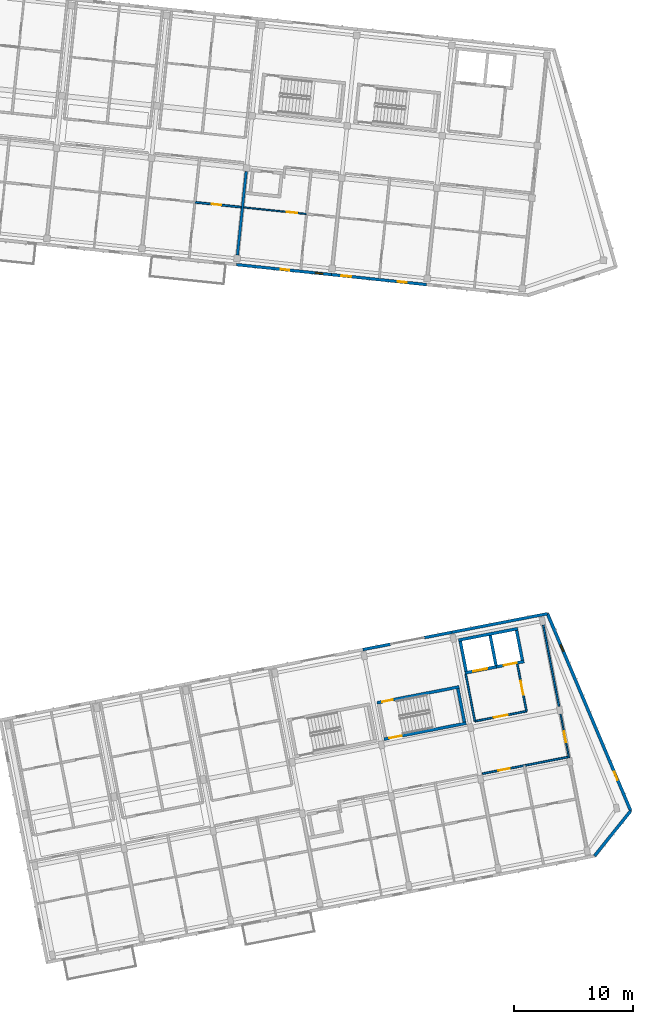
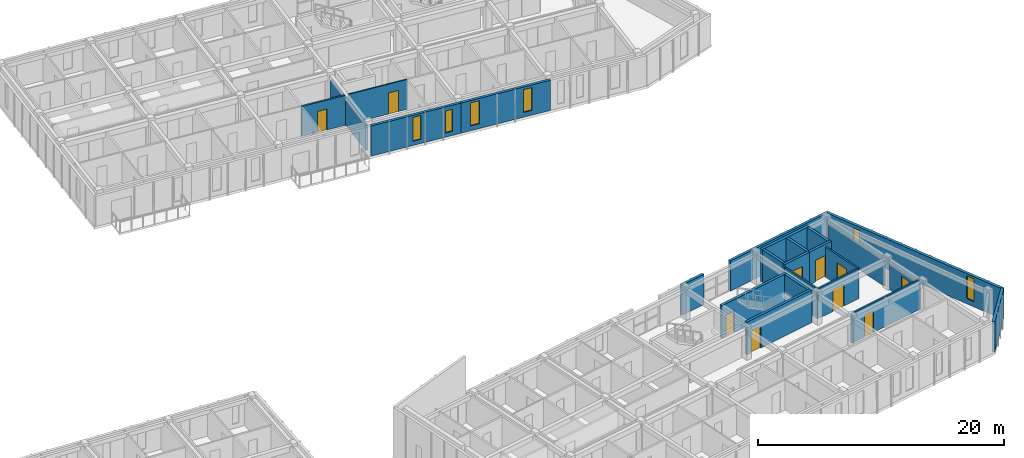
# One storey, part 35 of 65: 25 walls, 10 doors, 6 windows, 16 openings.
"""IFC4 building model written with IfcOpenShell, lengths in metres."""

from ifc_helpers import new_model, si_unit, direction, frame, frame_2d, origin, place, context, subcontext, project, spatial, rectangle, extrude, material, layer, layer_set, type_object, element, fill, save


model = new_model("IFC4")

# Units and contexts
model_context = context("Model", 3, precision=1e-05, world=origin(), true_north=direction((0.0, 1.0)))
body_context = subcontext(model_context, "Body", "Model", "MODEL_VIEW")
ifc_project = project(units=[si_unit("LENGTHUNIT", "METRE"), si_unit("AREAUNIT", "SQUARE_METRE"), si_unit("VOLUMEUNIT", "CUBIC_METRE"), si_unit("PLANEANGLEUNIT", "RADIAN"), si_unit("MASSUNIT", "GRAM", prefix="KILO")], contexts=[model_context])

# Site, building, storey
site_placement = place(None, origin())
site = spatial("IfcSite", under=ifc_project, at=site_placement, CompositionType="ELEMENT")
building_placement = place(site_placement, origin())
building = spatial("IfcBuilding", under=site, at=building_placement, Name="Kestramere Prow Commons", CompositionType="ELEMENT")
storey_placement = place(building_placement, frame((0.0, 0.0, 21.39990234375)))
storey = spatial("IfcBuildingStorey", under=building, at=storey_placement, Name="L06", CompositionType="ELEMENT", Elevation=21.39990234375)

# Wall, openings, windows
ifc_material_1 = material(Name="Weathered Zinc-Titanium Standing-Seam Cladding")
ifc_layer_1 = layer(ifc_material_1, 0.260009765625)
ifc_layer_set_1 = layer_set([ifc_layer_1], Name="Weathered Zinc-Titanium Standing-Seam Cladding")
wall_type_1 = type_object("IfcWallType", Name="EW-PROW-260", PredefinedType="SOLIDWALL", material=ifc_layer_set_1)
wall_1_placement = place(storey_placement, frame((159.83740234375, 62.556396484375, 0.0), z_axis=(0.0, 0.0, 1.0), x_axis=(0.389225507936, -0.921142499276, 0.0)))
wall_1 = element("IfcWall", 1, at=wall_1_placement, inside=storey, type_object=wall_type_1, Name="Block D L06 PRW-N Facet Wall", PredefinedType="SOLIDWALL", context=body_context, shape_type="SweptSolid", body=[
    extrude(rectangle(XDim=17.910400390625, YDim=0.260009765625, at=frame_2d((8.955078125, 0.0))), origin(), (0.0, 0.0, 1.0), 3.0),
])
opening_1_placement = place(wall_1_placement, frame((2.81005859375, 0.0, 0.449951171875)))
opening_1 = element("IfcOpeningElement", 2, at=opening_1_placement, cuts=wall_1, Name="Opening WN-02", PredefinedType="OPENING", context=body_context, shape_type="SweptSolid", body=[
    extrude(rectangle(XDim=0.60009765625, YDim=2.219970703125, at=frame_2d((0.300048828125, 1.10986328125))), frame((0.0, 0.14501953125, 0.0), z_axis=(0.0, -1.0, 0.0), x_axis=(1.0, 0.0, 0.0)), (0.0, 0.0, 1.0), 0.2900390625),
])
opening_2_placement = place(wall_1_placement, frame((14.3603515625, 0.0, 0.52001953125)))
opening_2 = element("IfcOpeningElement", 3, at=opening_2_placement, cuts=wall_1, Name="Opening WN-09", PredefinedType="OPENING", context=body_context, shape_type="SweptSolid", body=[
    extrude(rectangle(XDim=0.739990234375, YDim=2.260009765625, at=frame_2d((0.3701171875, 1.1298828125))), frame((0.0, 0.14501953125, 0.0), z_axis=(0.0, -1.0, 0.0), x_axis=(1.0, 0.0, 0.0)), (0.0, 0.0, 1.0), 0.2900390625),
])
ifc_material_2 = material(Name="Low-E Laminated Double Glazing", Category="glass")
window_type_1 = type_object("IfcWindowType", Name="WN-NAR-600A", PartitioningType="SINGLE_PANEL", PredefinedType="WINDOW", material=ifc_material_2)
window_1_placement = place(opening_1_placement, origin())
window_1 = element("IfcWindow", 4, at=window_1_placement, inside=storey, type_object=window_type_1, Name="WN-D-L06-PRW-N-0", OverallHeight=2.219970703125, OverallWidth=0.60009765625, PartitioningType="SINGLE_PANEL", PredefinedType="WINDOW", context=body_context, shape_type="SweptSolid", body=[
    extrude(rectangle(XDim=0.60009765625, YDim=2.219970703125, at=frame_2d((0.300048828125, 1.10986328125))), frame((0.0, 0.030029296875, 0.0), z_axis=(0.0, -1.0, 0.0), x_axis=(1.0, 0.0, 0.0)), (0.0, 0.0, 1.0), 0.06005859375),
])
fill(opening_1, window_1)
window_type_2 = type_object("IfcWindowType", Name="WN-NAR-740A", PartitioningType="SINGLE_PANEL", PredefinedType="WINDOW", material=ifc_material_2)
window_2_placement = place(opening_2_placement, origin())
window_2 = element("IfcWindow", 5, at=window_2_placement, inside=storey, type_object=window_type_2, Name="WN-D-L06-PRW-N-1", OverallHeight=2.260009765625, OverallWidth=0.739990234375, PartitioningType="SINGLE_PANEL", PredefinedType="WINDOW", context=body_context, shape_type="SweptSolid", body=[
    extrude(rectangle(XDim=0.739990234375, YDim=2.260009765625, at=frame_2d((0.3701171875, 1.1298828125))), frame((0.0, 0.030029296875, 0.0), z_axis=(0.0, -1.0, 0.0), x_axis=(1.0, 0.0, 0.0)), (0.0, 0.0, 1.0), 0.06005859375),
])
fill(opening_2, window_2)

# Wall
wall_2_placement = place(storey_placement, frame((166.80859375, 46.058349609375, 0.0), z_axis=(0.0, 0.0, 1.0), x_axis=(-0.626281072923, -0.779597343312, 0.0)))
element("IfcWall", 6, at=wall_2_placement, inside=storey, type_object=wall_type_1, Name="Block D L06 PRW-S Facet Wall", PredefinedType="SOLIDWALL", context=body_context, shape_type="SweptSolid", body=[
    extrude(rectangle(XDim=4.83935546875, YDim=0.260009765625, at=frame_2d((2.419677734375, 0.0))), origin(), (0.0, 0.0, 1.0), 3.0),
])

# Wall, openings, windows
ifc_material_3 = material(Name="Fluoropolymer Standing-Seam Zinc-Aluminium Cladding", Category="aluminium")
ifc_layer_2 = layer(ifc_material_3, 0.239990234375)
ifc_layer_set_2 = layer_set([ifc_layer_2], Name="Fluoropolymer Standing-Seam Zinc-Aluminium Cladding")
wall_type_2 = type_object("IfcWallType", Name="EW-SEAM-240", PredefinedType="SOLIDWALL", material=ifc_layer_set_2)
wall_3_placement = place(storey_placement, frame((141.769775390625, 90.932861328125, 0.0), z_axis=(0.0, 0.0, 1.0), x_axis=(-0.994519156568, 0.104554517933, 0.0)))
wall_3 = element("IfcWall", 7, at=wall_3_placement, inside=storey, type_object=wall_type_2, Name="Block B L06 South Standing-Seam Wall 4", PredefinedType="SOLIDWALL", context=body_context, shape_type="SweptSolid", body=[
    extrude(rectangle(XDim=8.0, YDim=0.239990234375, at=frame_2d((4.0, 0.0))), origin(), (0.0, 0.0, 1.0), 3.0),
])
opening_3_placement = place(wall_3_placement, frame((0.7431640625, 0.0, 0.419921875)))
opening_3 = element("IfcOpeningElement", 8, at=opening_3_placement, cuts=wall_3, Name="Opening WN-04", PredefinedType="OPENING", context=body_context, shape_type="SweptSolid", body=[
    extrude(rectangle(XDim=0.639892578125, YDim=2.179931640625, at=frame_2d((0.31982421875, 1.08984375))), frame((0.0, 0.135009765625, 0.0), z_axis=(0.0, -1.0, 0.0), x_axis=(1.0, 0.0, 0.0)), (0.0, 0.0, 1.0), 0.27001953125),
])
opening_4_placement = place(wall_3_placement, frame((3.55810546875, 0.0, 0.419921875)))
opening_4 = element("IfcOpeningElement", 9, at=opening_4_placement, cuts=wall_3, Name="Opening WN-07", PredefinedType="OPENING", context=body_context, shape_type="SweptSolid", body=[
    extrude(rectangle(XDim=0.699951171875, YDim=2.360107421875, at=frame_2d((0.35009765625, 1.18017578125))), frame((0.0, 0.135009765625, 0.0), z_axis=(0.0, -1.0, 0.0), x_axis=(1.0, 0.0, 0.0)), (0.0, 0.0, 1.0), 0.27001953125),
])
window_type_3 = type_object("IfcWindowType", Name="WN-NAR-640A", PartitioningType="SINGLE_PANEL", PredefinedType="WINDOW", material=ifc_material_2)
window_3_placement = place(opening_3_placement, origin())
window_3 = element("IfcWindow", 10, at=window_3_placement, inside=storey, type_object=window_type_3, Name="WN-B-L06-S-3-00", OverallHeight=2.179931640625, OverallWidth=0.639892578125, PartitioningType="SINGLE_PANEL", PredefinedType="WINDOW", context=body_context, shape_type="SweptSolid", body=[
    extrude(rectangle(XDim=0.639892578125, YDim=2.179931640625, at=frame_2d((0.31982421875, 1.08984375))), frame((0.0, 0.030029296875, 0.0), z_axis=(0.0, -1.0, 0.0), x_axis=(1.0, 0.0, 0.0)), (0.0, 0.0, 1.0), 0.06005859375),
])
fill(opening_3, window_3)
window_type_4 = type_object("IfcWindowType", Name="WN-NAR-700A", PartitioningType="SINGLE_PANEL", PredefinedType="WINDOW", material=ifc_material_2)
window_4_placement = place(opening_4_placement, origin())
window_4 = element("IfcWindow", 11, at=window_4_placement, inside=storey, type_object=window_type_4, Name="WN-B-L06-S-3-10", OverallHeight=2.360107421875, OverallWidth=0.699951171875, PartitioningType="SINGLE_PANEL", PredefinedType="WINDOW", context=body_context, shape_type="SweptSolid", body=[
    extrude(rectangle(XDim=0.699951171875, YDim=2.360107421875, at=frame_2d((0.35009765625, 1.18017578125))), frame((0.0, 0.030029296875, 0.0), z_axis=(0.0, -1.0, 0.0), x_axis=(1.0, 0.0, 0.0)), (0.0, 0.0, 1.0), 0.06005859375),
])
fill(opening_4, window_4)

wall_4_placement = place(storey_placement, frame((149.72607421875, 90.0966796875, 0.0), z_axis=(0.0, 0.0, 1.0), x_axis=(-0.994522662826, 0.104521161134, 0.0)))
wall_4 = element("IfcWall", 12, at=wall_4_placement, inside=storey, type_object=wall_type_2, Name="Block B L06 South Standing-Seam Wall 5", PredefinedType="SOLIDWALL", context=body_context, shape_type="SweptSolid", body=[
    extrude(rectangle(XDim=8.0, YDim=0.239990234375, at=frame_2d((4.0, 0.0))), origin(), (0.0, 0.0, 1.0), 3.0),
])
opening_5_placement = place(wall_4_placement, frame((1.685546875, 0.0, 0.47998046875)))
opening_5 = element("IfcOpeningElement", 13, at=opening_5_placement, cuts=wall_4, Name="Opening WN-09", PredefinedType="OPENING", context=body_context, shape_type="SweptSolid", body=[
    extrude(rectangle(XDim=0.739990234375, YDim=2.260009765625, at=frame_2d((0.3701171875, 1.1298828125))), frame((0.0, 0.135009765625, 0.0), z_axis=(0.0, -1.0, 0.0), x_axis=(1.0, 0.0, 0.0)), (0.0, 0.0, 1.0), 0.27001953125),
])
opening_6_placement = place(wall_4_placement, frame((6.360107421875, 0.0, 0.47998046875)))
opening_6 = element("IfcOpeningElement", 14, at=opening_6_placement, cuts=wall_4, Name="Opening WN-12", PredefinedType="OPENING", context=body_context, shape_type="SweptSolid", body=[
    extrude(rectangle(XDim=0.800048828125, YDim=2.300048828125, at=frame_2d((0.39990234375, 1.14990234375))), frame((0.0, 0.135009765625, 0.0), z_axis=(0.0, -1.0, 0.0), x_axis=(1.0, 0.0, 0.0)), (0.0, 0.0, 1.0), 0.27001953125),
])
window_5_placement = place(opening_5_placement, origin())
window_5 = element("IfcWindow", 15, at=window_5_placement, inside=storey, type_object=window_type_2, Name="WN-B-L06-S-4-00", OverallHeight=2.260009765625, OverallWidth=0.739990234375, PartitioningType="SINGLE_PANEL", PredefinedType="WINDOW", context=body_context, shape_type="SweptSolid", body=[
    extrude(rectangle(XDim=0.739990234375, YDim=2.260009765625, at=frame_2d((0.3701171875, 1.1298828125))), frame((0.0, 0.030029296875, 0.0), z_axis=(0.0, -1.0, 0.0), x_axis=(1.0, 0.0, 0.0)), (0.0, 0.0, 1.0), 0.06005859375),
])
fill(opening_5, window_5)
window_type_5 = type_object("IfcWindowType", Name="WN-NAR-800A", PartitioningType="SINGLE_PANEL", PredefinedType="WINDOW", material=ifc_material_2)
window_6_placement = place(opening_6_placement, origin())
window_6 = element("IfcWindow", 16, at=window_6_placement, inside=storey, type_object=window_type_5, Name="WN-B-L06-S-4-10", OverallHeight=2.300048828125, OverallWidth=0.800048828125, PartitioningType="SINGLE_PANEL", PredefinedType="WINDOW", context=body_context, shape_type="SweptSolid", body=[
    extrude(rectangle(XDim=0.800048828125, YDim=2.300048828125, at=frame_2d((0.39990234375, 1.14990234375))), frame((0.0, 0.030029296875, 0.0), z_axis=(0.0, -1.0, 0.0), x_axis=(1.0, 0.0, 0.0)), (0.0, 0.0, 1.0), 0.06005859375),
])
fill(opening_6, window_6)

# Walls
wall_5_placement = place(storey_placement, frame((144.4013671875, 59.555908203125, 0.0), z_axis=(0.0, 0.0, 1.0), x_axis=(0.981633573872, 0.190776116556, 0.0)))
element("IfcWall", 17, at=wall_5_placement, inside=storey, type_object=wall_type_2, Name="Block D L06 North Standing-Seam Pier 5L", PredefinedType="SOLIDWALL", context=body_context, shape_type="SweptSolid", body=[
    extrude(rectangle(XDim=2.375244140625, YDim=0.239990234375, at=frame_2d((1.1875, 0.0))), origin(), (0.0, 0.0, 1.0), 3.0),
])
wall_6_placement = place(storey_placement, frame((149.530517578125, 60.552734375, 0.0), z_axis=(0.0, 0.0, 1.0), x_axis=(0.98161057432, 0.190894422087, 0.0)))
element("IfcWall", 18, at=wall_6_placement, inside=storey, type_object=wall_type_2, Name="Block D L06 North Standing-Seam Pier 5R", PredefinedType="SOLIDWALL", context=body_context, shape_type="SweptSolid", body=[
    extrude(rectangle(XDim=2.375, YDim=0.239990234375, at=frame_2d((1.1875, 0.0))), origin(), (0.0, 0.0, 1.0), 3.0),
])
wall_7_placement = place(storey_placement, frame((151.86181640625, 61.006103515625, 0.0), z_axis=(0.0, 0.0, 1.0), x_axis=(0.981627273155, 0.190808533872, 0.0)))
element("IfcWall", 19, at=wall_7_placement, inside=storey, type_object=wall_type_2, Name="Block D L06 North Standing-Seam Wall 6", PredefinedType="SOLIDWALL", context=body_context, shape_type="SweptSolid", body=[
    extrude(rectangle(XDim=8.124755859375, YDim=0.239990234375, at=frame_2d((4.0625, 0.0))), origin(), (0.0, 0.0, 1.0), 3.0),
])
ifc_material_4 = material(Name="Concrete C40/50", Category="concrete")
ifc_layer_3 = layer(ifc_material_4, 0.25)
ifc_layer_set_3 = layer_set([ifc_layer_3], Name="Concrete C40/50")
wall_type_3 = type_object("IfcWallType", Name="W-CORE-250", PredefinedType="SHEAR", material=ifc_layer_set_3)
wall_8_placement = place(storey_placement, frame((152.3974609375, 60.34619140625, 0.0), z_axis=(0.0, 0.0, 1.0), x_axis=(0.981635261308, 0.190767433692, 0.0)))
element("IfcWall", 20, at=wall_8_placement, inside=storey, type_object=wall_type_3, Name="Block D L06 Lift Core Back Wall", PredefinedType="SHEAR", context=body_context, shape_type="SweptSolid", body=[
    extrude(rectangle(XDim=5.050048828125, YDim=0.25, at=frame_2d((2.52490234375, 0.0))), origin(), (0.0, 0.0, 1.0), 3.25),
])

# Wall, opening, door
wall_9_placement = place(storey_placement, frame((152.931884765625, 57.59765625, 0.0), z_axis=(0.0, 0.0, 1.0), x_axis=(0.981636759622, 0.190759723627, 0.0)))
wall_9 = element("IfcWall", 21, at=wall_9_placement, inside=storey, type_object=wall_type_3, Name="Block D L06 Fire Lift Shaft Front Wall", PredefinedType="SHEAR", context=body_context, shape_type="SweptSolid", body=[
    extrude(rectangle(XDim=2.6748046875, YDim=0.25, at=frame_2d((1.33740234375, 0.0))), origin(), (0.0, 0.0, 1.0), 3.25),
])
opening_7_placement = place(wall_9_placement, frame((0.719970703125, 0.0, 0.0)))
opening_7 = element("IfcOpeningElement", 22, at=opening_7_placement, cuts=wall_9, Name="Opening LD-02", PredefinedType="OPENING", context=body_context, shape_type="SweptSolid", body=[
    extrude(rectangle(XDim=1.199951171875, YDim=2.199951171875, at=frame_2d((0.60009765625, 1.10009765625))), frame((0.0, 0.139892578125, 0.0), z_axis=(0.0, -1.0, 0.0), x_axis=(1.0, 0.0, 0.0)), (0.0, 0.0, 1.0), 0.280029296875),
])
ifc_material_5 = material(Name="Brushed Stainless Steel 316", Category="steel")
door_type_1 = type_object("IfcDoorType", Name="LD-02", OperationType="DOUBLE_DOOR_SLIDING", PredefinedType="DOOR", material=ifc_material_5)
door_1_placement = place(opening_7_placement, origin())
door_1 = element("IfcDoor", 23, at=door_1_placement, inside=storey, type_object=door_type_1, Name="FL-D1 L06 Lift Landing Door", OperationType="DOUBLE_DOOR_SLIDING", OverallHeight=2.199951171875, OverallWidth=1.199951171875, PredefinedType="DOOR", context=body_context, shape_type="SweptSolid", body=[
    extrude(rectangle(XDim=1.199951171875, YDim=2.199951171875, at=frame_2d((0.60009765625, 1.10009765625))), frame((0.0, 0.02490234375, 0.0), z_axis=(0.0, -1.0, 0.0), x_axis=(1.0, 0.0, 0.0)), (0.0, 0.0, 1.0), 0.050048828125),
])
fill(opening_7, door_1)

wall_10_placement = place(storey_placement, frame((155.5576171875, 58.10791015625, 0.0), z_axis=(0.0, 0.0, 1.0), x_axis=(0.981633573872, 0.190776116556, 0.0)))
wall_10 = element("IfcWall", 24, at=wall_10_placement, inside=storey, type_object=wall_type_3, Name="Block D L06 Passenger Lift Shaft Front Wall", PredefinedType="SHEAR", context=body_context, shape_type="SweptSolid", body=[
    extrude(rectangle(XDim=2.375244140625, YDim=0.25, at=frame_2d((1.1875, 0.0))), origin(), (0.0, 0.0, 1.0), 3.25),
])
opening_8_placement = place(wall_10_placement, frame((0.64990234375, 0.0, 0.0)))
opening_8 = element("IfcOpeningElement", 25, at=opening_8_placement, cuts=wall_10, Name="Opening LD-01", PredefinedType="OPENING", context=body_context, shape_type="SweptSolid", body=[
    extrude(rectangle(XDim=1.10009765625, YDim=2.14990234375, at=frame_2d((0.550048828125, 1.074951171875))), frame((0.0, 0.139892578125, 0.0), z_axis=(0.0, -1.0, 0.0), x_axis=(1.0, 0.0, 0.0)), (0.0, 0.0, 1.0), 0.280029296875),
])
ifc_material_6 = material(Name="Brushed Stainless Steel 304", Category="steel")
door_type_2 = type_object("IfcDoorType", Name="LD-01", OperationType="DOUBLE_DOOR_SLIDING", PredefinedType="DOOR", material=ifc_material_6)
door_2_placement = place(opening_8_placement, origin())
door_2 = element("IfcDoor", 26, at=door_2_placement, inside=storey, type_object=door_type_2, Name="PL-D2 L06 Lift Landing Door", OperationType="DOUBLE_DOOR_SLIDING", OverallHeight=2.14990234375, OverallWidth=1.10009765625, PredefinedType="DOOR", context=body_context, shape_type="SweptSolid", body=[
    extrude(rectangle(XDim=1.10009765625, YDim=2.14990234375, at=frame_2d((0.550048828125, 1.074951171875))), frame((0.0, 0.02490234375, 0.0), z_axis=(0.0, -1.0, 0.0), x_axis=(1.0, 0.0, 0.0)), (0.0, 0.0, 1.0), 0.050048828125),
])
fill(opening_8, door_2)

# Walls
for number, where, z_axis, x_axis, name in (
    (27, (153.03076171875, 57.744140625, 0.0), (0.0, 0.0, 1.0), (-0.190810719655, 0.98162684828, 0.0), "Block D L06 Lift Core Side Wall L"),
    (28, (155.533935546875, 58.230712890625, 0.0), (0.0, 0.0, 1.0), (-0.190810719655, 0.98162684828, 0.0), "Block D L06 Lift Core Side Wall M"),
    (29, (157.742431640625, 58.659912109375, 0.0), (0.0, 0.0, 1.0), (-0.190810719655, 0.98162684828, 0.0), "Block D L06 Lift Core Side Wall R"),
):
    element("IfcWall", number, at=place(storey_placement, frame(where, z_axis=z_axis, x_axis=x_axis)), inside=storey, type_object=wall_type_3, Name=name, PredefinedType="SHEAR", context=body_context, shape_type="SweptSolid", body=[
        extrude(rectangle(XDim=2.550048828125, YDim=0.25, at=frame_2d((1.27490234375, 0.0))), origin(), (0.0, 0.0, 1.0), 3.25),
    ])

# Wall, opening, door
wall_11_placement = place(storey_placement, frame((145.57373046875, 55.09765625, 0.0), z_axis=(0.0, 0.0, 1.0), x_axis=(0.981626097708, 0.19081458094, 0.0)))
wall_11 = element("IfcWall", 30, at=wall_11_placement, inside=storey, type_object=wall_type_3, Name="ST-D2 L06 North Shaft Wall", PredefinedType="SHEAR", context=body_context, shape_type="SweptSolid", body=[
    extrude(rectangle(XDim=7.0, YDim=0.25, at=frame_2d((3.5, 0.0))), origin(), (0.0, 0.0, 1.0), 3.25),
])
opening_9_placement = place(wall_11_placement, frame((0.449951171875, 0.0, 0.0)))
opening_9 = element("IfcOpeningElement", 31, at=opening_9_placement, cuts=wall_11, Name="Opening ID-08", PredefinedType="OPENING", context=body_context, shape_type="SweptSolid", body=[
    extrude(rectangle(XDim=0.89990234375, YDim=2.10009765625, at=frame_2d((0.449951171875, 1.050048828125))), frame((0.0, 0.139892578125, 0.0), z_axis=(0.0, -1.0, 0.0), x_axis=(1.0, 0.0, 0.0)), (0.0, 0.0, 1.0), 0.280029296875),
])
ifc_material_7 = material(Name="Engineered Timber Flush Door", Category="wood")
door_type_3 = type_object("IfcDoorType", Name="D-RM-01", OperationType="NOTDEFINED", PredefinedType="DOOR", material=ifc_material_7)
door_3_placement = place(opening_9_placement, origin())
door_3 = element("IfcDoor", 32, at=door_3_placement, inside=storey, type_object=door_type_3, Name="ST-D2 L06 North Room Door", OperationType="SINGLE_SWING_RIGHT", OverallHeight=2.10009765625, OverallWidth=0.89990234375, PredefinedType="DOOR", context=body_context, shape_type="SweptSolid", body=[
    extrude(rectangle(XDim=0.89990234375, YDim=2.10009765625, at=frame_2d((0.449951171875, 1.050048828125))), frame((0.0, 0.02490234375, 0.0), z_axis=(0.0, -1.0, 0.0), x_axis=(1.0, 0.0, 0.0)), (0.0, 0.0, 1.0), 0.050048828125),
])
fill(opening_9, door_3)

wall_12_placement = place(storey_placement, frame((146.1650390625, 52.054443359375, 0.0), z_axis=(0.0, 0.0, 1.0), x_axis=(0.981627367538, 0.190808048312, 0.0)))
wall_12 = element("IfcWall", 33, at=wall_12_placement, inside=storey, type_object=wall_type_3, Name="ST-D2 L06 Corridor Shaft Wall", PredefinedType="SHEAR", context=body_context, shape_type="SweptSolid", body=[
    extrude(rectangle(XDim=7.000244140625, YDim=0.25, at=frame_2d((3.5, 0.0))), origin(), (0.0, 0.0, 1.0), 3.25),
])
opening_10_placement = place(wall_12_placement, frame((0.449951171875, 0.0, 0.0)))
opening_10 = element("IfcOpeningElement", 34, at=opening_10_placement, cuts=wall_12, Name="Opening ID-01", PredefinedType="OPENING", context=body_context, shape_type="SweptSolid", body=[
    extrude(rectangle(XDim=1.050048828125, YDim=2.14990234375, at=frame_2d((0.52490234375, 1.074951171875))), frame((0.0, 0.139892578125, 0.0), z_axis=(0.0, -1.0, 0.0), x_axis=(1.0, 0.0, 0.0)), (0.0, 0.0, 1.0), 0.280029296875),
])
ifc_material_8 = material(Name="Fire-Rated Timber and Steel Frame", Category="steel")
door_type_4 = type_object("IfcDoorType", Name="FD-ST-01", OperationType="NOTDEFINED", PredefinedType="DOOR", material=ifc_material_8)
door_4_placement = place(opening_10_placement, origin())
door_4 = element("IfcDoor", 35, at=door_4_placement, inside=storey, type_object=door_type_4, Name="ST-D2 L06 Protected Stair Door", OperationType="SINGLE_SWING_LEFT", OverallHeight=2.14990234375, OverallWidth=1.050048828125, PredefinedType="DOOR", context=body_context, shape_type="SweptSolid", body=[
    extrude(rectangle(XDim=1.050048828125, YDim=2.14990234375, at=frame_2d((0.52490234375, 1.074951171875))), frame((0.0, 0.02490234375, 0.0), z_axis=(0.0, -1.0, 0.0), x_axis=(1.0, 0.0, 0.0)), (0.0, 0.0, 1.0), 0.050048828125),
])
fill(opening_10, door_4)

# Wall
wall_13_placement = place(storey_placement, frame((152.889892578125, 53.489013671875, 0.0), z_axis=(0.0, 0.0, 1.0), x_axis=(-0.190775649797, 0.981633664584, 0.0)))
element("IfcWall", 36, at=wall_13_placement, inside=storey, type_object=wall_type_3, Name="ST-D2 L06 Far Shaft Wall", PredefinedType="SHEAR", context=body_context, shape_type="SweptSolid", body=[
    extrude(rectangle(XDim=2.849853515625, YDim=0.25, at=frame_2d((1.4248046875, 0.0))), origin(), (0.0, 0.0, 1.0), 3.25),
])

# Wall, opening, door
ifc_material_9 = material(Name="Fire-Rated Calcium Silicate Wall")
ifc_layer_4 = layer(ifc_material_9, 0.155029296875)
ifc_layer_set_4 = layer_set([ifc_layer_4], Name="Fire-Rated Calcium Silicate Wall")
wall_type_4 = type_object("IfcWallType", Name="W-FIRE-150", PredefinedType="PARTITIONING", material=ifc_layer_set_4)
wall_14_placement = place(storey_placement, frame((153.76806640625, 53.557861328125, 0.0), z_axis=(0.0, 0.0, 1.0), x_axis=(0.981624918225, 0.190820648566, 0.0)))
wall_14 = element("IfcWall", 37, at=wall_14_placement, inside=storey, type_object=wall_type_4, Name="Interior Partition PW-D-L06-FFL-S", PredefinedType="PARTITIONING", context=body_context, shape_type="SweptSolid", body=[
    extrude(rectangle(XDim=4.39990234375, YDim=0.155029296875, at=frame_2d((2.199951171875, 0.0))), origin(), (0.0, 0.0, 1.0), 2.97021484375),
])
opening_11_placement = place(wall_14_placement, frame((1.60009765625, 0.0, 0.0)))
opening_11 = element("IfcOpeningElement", 38, at=opening_11_placement, cuts=wall_14, Name="Opening ID-03", PredefinedType="OPENING", context=body_context, shape_type="SweptSolid", body=[
    extrude(rectangle(XDim=1.179931640625, YDim=2.14990234375, at=frame_2d((0.58984375, 1.074951171875))), frame((0.0, 0.092529296875, 0.0), z_axis=(0.0, -1.0, 0.0), x_axis=(1.0, 0.0, 0.0)), (0.0, 0.0, 1.0), 0.18505859375),
])
ifc_material_10 = material(Name="Fire-Rated Glazed Smoke-Stop Door")
door_type_5 = type_object("IfcDoorType", Name="FD-LB-01", OperationType="NOTDEFINED", PredefinedType="DOOR", material=ifc_material_10)
door_5_placement = place(opening_11_placement, origin())
door_5 = element("IfcDoor", 39, at=door_5_placement, inside=storey, type_object=door_type_5, Name="Interior Door DR-D-L06-FFL", OperationType="SINGLE_SWING_LEFT", OverallHeight=2.14990234375, OverallWidth=1.179931640625, PredefinedType="DOOR", context=body_context, shape_type="SweptSolid", body=[
    extrude(rectangle(XDim=1.179931640625, YDim=2.14990234375, at=frame_2d((0.58984375, 1.074951171875))), frame((0.0, 0.02490234375, 0.0), z_axis=(0.0, -1.0, 0.0), x_axis=(1.0, 0.0, 0.0)), (0.0, 0.0, 1.0), 0.050048828125),
])
fill(opening_11, door_5)

# Wall
wall_15_placement = place(storey_placement, frame((153.76806640625, 53.557861328125, 0.0), z_axis=(0.0, 0.0, 1.0), x_axis=(-0.19085495634, 0.981618248425, 0.0)))
element("IfcWall", 40, at=wall_15_placement, inside=storey, type_object=wall_type_4, Name="Interior Partition PW-D-L06-FFL-W", PredefinedType="PARTITIONING", context=body_context, shape_type="SweptSolid", body=[
    extrude(rectangle(XDim=4.0, YDim=0.155029296875, at=frame_2d((2.0, 0.0))), origin(), (0.0, 0.0, 1.0), 2.97021484375),
])

# Wall, opening, door
wall_16_placement = place(storey_placement, frame((158.087158203125, 54.3974609375, 0.0), z_axis=(0.0, 0.0, 1.0), x_axis=(-0.190796144009, 0.981629681413, 0.0)))
wall_16 = element("IfcWall", 41, at=wall_16_placement, inside=storey, type_object=wall_type_4, Name="Interior Partition PW-D-L06-FFL-E", PredefinedType="PARTITIONING", context=body_context, shape_type="SweptSolid", body=[
    extrude(rectangle(XDim=4.0, YDim=0.155029296875, at=frame_2d((2.0, 0.0))), origin(), (0.0, 0.0, 1.0), 2.97021484375),
])
opening_12_placement = place(wall_16_placement, frame((1.39990234375, 0.0, 0.0)))
opening_12 = element("IfcOpeningElement", 42, at=opening_12_placement, cuts=wall_16, Name="Opening ID-03", PredefinedType="OPENING", context=body_context, shape_type="SweptSolid", body=[
    extrude(rectangle(XDim=1.179931640625, YDim=2.14990234375, at=frame_2d((0.58984375, 1.074951171875))), frame((0.0, 0.092529296875, 0.0), z_axis=(0.0, -1.0, 0.0), x_axis=(1.0, 0.0, 0.0)), (0.0, 0.0, 1.0), 0.18505859375),
])
door_6_placement = place(opening_12_placement, origin())
door_6 = element("IfcDoor", 43, at=door_6_placement, inside=storey, type_object=door_type_5, Name="Interior Door DR-D-L06-FFL-PL", OperationType="SINGLE_SWING_LEFT", OverallHeight=2.14990234375, OverallWidth=1.179931640625, PredefinedType="DOOR", context=body_context, shape_type="SweptSolid", body=[
    extrude(rectangle(XDim=1.179931640625, YDim=2.14990234375, at=frame_2d((0.58984375, 1.074951171875))), frame((0.0, 0.02490234375, 0.0), z_axis=(0.0, -1.0, 0.0), x_axis=(1.0, 0.0, 0.0)), (0.0, 0.0, 1.0), 0.050048828125),
])
fill(opening_12, door_6)

wall_17_placement = place(storey_placement, frame((154.40234375, 49.168212890625, 0.0), z_axis=(0.0, 0.0, 1.0), x_axis=(0.981623226858, 0.190829349137, 0.0)))
wall_17 = element("IfcWall", 44, at=wall_17_placement, inside=storey, type_object=wall_type_4, Name="Interior Partition PW-D-L06-CS-5", PredefinedType="PARTITIONING", context=body_context, shape_type="SweptSolid", body=[
    extrude(rectangle(XDim=7.294921875, YDim=0.155029296875, at=frame_2d((3.6474609375, 0.0))), origin(), (0.0, 0.0, 1.0), 2.97021484375),
])
opening_13_placement = place(wall_17_placement, frame((1.35498046875, 0.0, 0.0)))
opening_13 = element("IfcOpeningElement", 45, at=opening_13_placement, cuts=wall_17, Name="Opening ID-04", PredefinedType="OPENING", context=body_context, shape_type="SweptSolid", body=[
    extrude(rectangle(XDim=0.97998046875, YDim=2.14990234375, at=frame_2d((0.489990234375, 1.074951171875))), frame((0.0, 0.092529296875, 0.0), z_axis=(0.0, -1.0, 0.0), x_axis=(1.0, 0.0, 0.0)), (0.0, 0.0, 1.0), 0.18505859375),
])
ifc_material_11 = material(Name="Hardwood Fire-Rated Flat Entrance Door", Category="wood")
door_type_6 = type_object("IfcDoorType", Name="FD-ENT-01", OperationType="NOTDEFINED", PredefinedType="DOOR", material=ifc_material_11)
door_7_placement = place(opening_13_placement, origin())
door_7 = element("IfcDoor", 46, at=door_7_placement, inside=storey, type_object=door_type_6, Name="Interior Door DR-D-L06-ENT-S5", OperationType="SINGLE_SWING_RIGHT", OverallHeight=2.14990234375, OverallWidth=0.97998046875, PredefinedType="DOOR", context=body_context, shape_type="SweptSolid", body=[
    extrude(rectangle(XDim=0.97998046875, YDim=2.14990234375, at=frame_2d((0.489990234375, 1.074951171875))), frame((0.0, 0.02490234375, 0.0), z_axis=(0.0, -1.0, 0.0), x_axis=(1.0, 0.0, 0.0)), (0.0, 0.0, 1.0), 0.050048828125),
])
fill(opening_13, door_7)

ifc_material_12 = material(Name="Lightweight Blockwork and Plaster", Category="masonry")
ifc_layer_5 = layer(ifc_material_12, 0.1201171875)
ifc_layer_set_5 = layer_set([ifc_layer_5], Name="Lightweight Blockwork and Plaster")
wall_type_5 = type_object("IfcWallType", Name="W-PART-120", PredefinedType="PARTITIONING", material=ifc_layer_set_5)
wall_18_placement = place(storey_placement, frame((134.432373046875, 96.5556640625, 0.0), z_axis=(0.0, 0.0, 1.0), x_axis=(0.994524692105, -0.104501850668, 0.0)))
wall_18 = element("IfcWall", 47, at=wall_18_placement, inside=storey, type_object=wall_type_5, Name="Interior Partition PW-B-L06-MIDS1-3", PredefinedType="PARTITIONING", context=body_context, shape_type="SweptSolid", body=[
    extrude(rectangle(XDim=5.27978515625, YDim=0.1201171875, at=frame_2d((2.639892578125, 0.0))), origin(), (0.0, 0.0, 1.0), 2.97021484375),
])
opening_14_placement = place(wall_18_placement, frame((3.594970703125, 0.0, 0.0)))
opening_14 = element("IfcOpeningElement", 48, at=opening_14_placement, cuts=wall_18, Name="Opening ID-08", PredefinedType="OPENING", context=body_context, shape_type="SweptSolid", body=[
    extrude(rectangle(XDim=0.89990234375, YDim=2.10009765625, at=frame_2d((0.449951171875, 1.050048828125))), frame((0.0, 0.074951171875, 0.0), z_axis=(0.0, -1.0, 0.0), x_axis=(1.0, 0.0, 0.0)), (0.0, 0.0, 1.0), 0.150146484375),
])
door_8_placement = place(opening_14_placement, origin())
door_8 = element("IfcDoor", 49, at=door_8_placement, inside=storey, type_object=door_type_3, Name="Interior Door DR-B-L06-KL-S3", OperationType="SINGLE_SWING_RIGHT", OverallHeight=2.10009765625, OverallWidth=0.89990234375, PredefinedType="DOOR", context=body_context, shape_type="SweptSolid", body=[
    extrude(rectangle(XDim=0.89990234375, YDim=2.10009765625, at=frame_2d((0.449951171875, 1.050048828125))), frame((0.0, 0.02490234375, 0.0), z_axis=(0.0, -1.0, 0.0), x_axis=(1.0, 0.0, 0.0)), (0.0, 0.0, 1.0), 0.050048828125),
])
fill(opening_14, door_8)

wall_19_placement = place(storey_placement, frame((161.648193359375, 50.489990234375, 0.0), z_axis=(0.0, 0.0, 1.0), x_axis=(-0.190789073686, 0.981631055622, 0.0)))
wall_19 = element("IfcWall", 50, at=wall_19_placement, inside=storey, type_object=wall_type_5, Name="Interior Partition PW-D-L06-PROW-ACC", PredefinedType="PARTITIONING", context=body_context, shape_type="SweptSolid", body=[
    extrude(rectangle(XDim=3.730224609375, YDim=0.1201171875, at=frame_2d((1.865234375, 0.0))), origin(), (0.0, 0.0, 1.0), 2.5),
])
opening_15_placement = place(wall_19_placement, frame((1.35009765625, 0.0, 0.0)))
opening_15 = element("IfcOpeningElement", 51, at=opening_15_placement, cuts=wall_19, Name="Opening ID-08", PredefinedType="OPENING", context=body_context, shape_type="SweptSolid", body=[
    extrude(rectangle(XDim=0.89990234375, YDim=2.10009765625, at=frame_2d((0.449951171875, 1.050048828125))), frame((0.0, 0.074951171875, 0.0), z_axis=(0.0, -1.0, 0.0), x_axis=(1.0, 0.0, 0.0)), (0.0, 0.0, 1.0), 0.150146484375),
])
door_9_placement = place(opening_15_placement, origin())
door_9 = element("IfcDoor", 52, at=door_9_placement, inside=storey, type_object=door_type_3, Name="Interior Door DR-D-L06-PROW", OperationType="SINGLE_SWING_LEFT", OverallHeight=2.10009765625, OverallWidth=0.89990234375, PredefinedType="DOOR", context=body_context, shape_type="SweptSolid", body=[
    extrude(rectangle(XDim=0.89990234375, YDim=2.10009765625, at=frame_2d((0.449951171875, 1.050048828125))), frame((0.0, 0.02490234375, 0.0), z_axis=(0.0, -1.0, 0.0), x_axis=(1.0, 0.0, 0.0)), (0.0, 0.0, 1.0), 0.050048828125),
])
fill(opening_15, door_9)

# Wall
ifc_material_13 = material(Name="Masonry Compartment Wall", Category="masonry")
ifc_layer_6 = layer(ifc_material_13, 0.14990234375)
ifc_layer_set_6 = layer_set([ifc_layer_6], Name="Masonry Compartment Wall")
wall_type_6 = type_object("IfcWallType", Name="W-PART-150", PredefinedType="PARTITIONING", material=ifc_layer_set_6)
wall_20_placement = place(storey_placement, frame((160.80859375, 54.809326171875, 0.0), z_axis=(0.0, 0.0, 1.0), x_axis=(-0.190808365525, 0.981627305878, 0.0)))
element("IfcWall", 53, at=wall_20_placement, inside=storey, type_object=wall_type_6, Name="Interior Partition PW-D-L06-PRW-N", PredefinedType="PARTITIONING", context=body_context, shape_type="SweptSolid", body=[
    extrude(rectangle(XDim=6.9296875, YDim=0.14990234375, at=frame_2d((3.46484375, 0.0))), origin(), (0.0, 0.0, 1.0), 2.5),
])

# Wall, opening, door
ifc_material_14 = material(Name="Waterproof Sanitary Masonry Wall", Category="masonry")
ifc_layer_7 = layer(ifc_material_14, 0.1650390625)
ifc_layer_set_7 = layer_set([ifc_layer_7], Name="Waterproof Sanitary Masonry Wall")
wall_type_7 = type_object("IfcWallType", Name="W-PLUMB-150", PredefinedType="PLUMBINGWALL", material=ifc_layer_set_7)
wall_21_placement = place(storey_placement, frame((130.33984375, 96.98583984375, 0.0), z_axis=(0.0, 0.0, 1.0), x_axis=(0.994524375082, -0.104504867671, 0.0)))
wall_21 = element("IfcWall", 54, at=wall_21_placement, inside=storey, type_object=wall_type_7, Name="Interior Partition PW-B-L06-MIDS2-2", PredefinedType="PLUMBINGWALL", context=body_context, shape_type="SweptSolid", body=[
    extrude(rectangle(XDim=3.885009765625, YDim=0.1650390625, at=frame_2d((1.9423828125, 0.0))), origin(), (0.0, 0.0, 1.0), 2.97021484375),
])
opening_16_placement = place(wall_21_placement, frame((1.39990234375, 0.0, 0.0)))
opening_16 = element("IfcOpeningElement", 55, at=opening_16_placement, cuts=wall_21, Name="Opening ID-11", PredefinedType="OPENING", context=body_context, shape_type="SweptSolid", body=[
    extrude(rectangle(XDim=0.820068359375, YDim=2.080078125, at=frame_2d((0.41015625, 1.0400390625))), frame((0.0, 0.097412109375, 0.0), z_axis=(0.0, -1.0, 0.0), x_axis=(1.0, 0.0, 0.0)), (0.0, 0.0, 1.0), 0.195068359375),
])
ifc_material_15 = material(Name="Moisture-Resistant Timber Bathroom Door", Category="wood")
door_type_7 = type_object("IfcDoorType", Name="D-BT-01", OperationType="NOTDEFINED", PredefinedType="DOOR", material=ifc_material_15)
door_10_placement = place(opening_16_placement, origin())
door_10 = element("IfcDoor", 56, at=door_10_placement, inside=storey, type_object=door_type_7, Name="Interior Door DR-B-L06-BTH-S2", OperationType="SINGLE_SWING_LEFT", OverallHeight=2.080078125, OverallWidth=0.820068359375, PredefinedType="DOOR", context=body_context, shape_type="SweptSolid", body=[
    extrude(rectangle(XDim=0.820068359375, YDim=2.080078125, at=frame_2d((0.41015625, 1.0400390625))), frame((0.0, 0.02490234375, 0.0), z_axis=(0.0, -1.0, 0.0), x_axis=(1.0, 0.0, 0.0)), (0.0, 0.0, 1.0), 0.050048828125),
])
fill(opening_16, door_10)

# Wall
ifc_material_16 = material(Name="Precast concrete C40/50", Category="concrete")
ifc_layer_8 = layer(ifc_material_16, 0.219970703125)
ifc_layer_set_8 = layer_set([ifc_layer_8], Name="Precast concrete C40/50")
wall_type_8 = type_object("IfcWallType", Name="W-XWALL-220", PredefinedType="SHEAR", material=ifc_layer_set_8)
wall_22_placement = place(storey_placement, frame((133.897216796875, 92.564697265625, 0.0), z_axis=(0.0, 0.0, 1.0), x_axis=(0.104545981508, 0.994520053971, 0.0)))
element("IfcWall", 57, at=wall_22_placement, inside=storey, type_object=wall_type_8, Name="Block B L06 Precast Cross-Wall 3", PredefinedType="SHEAR", context=body_context, shape_type="SweptSolid", body=[
    extrude(rectangle(XDim=7.050048828125, YDim=0.219970703125, at=frame_2d((3.52490234375, 0.0))), origin(), (0.0, 0.0, 1.0), 2.5),
])

save(model, "model.ifc")
